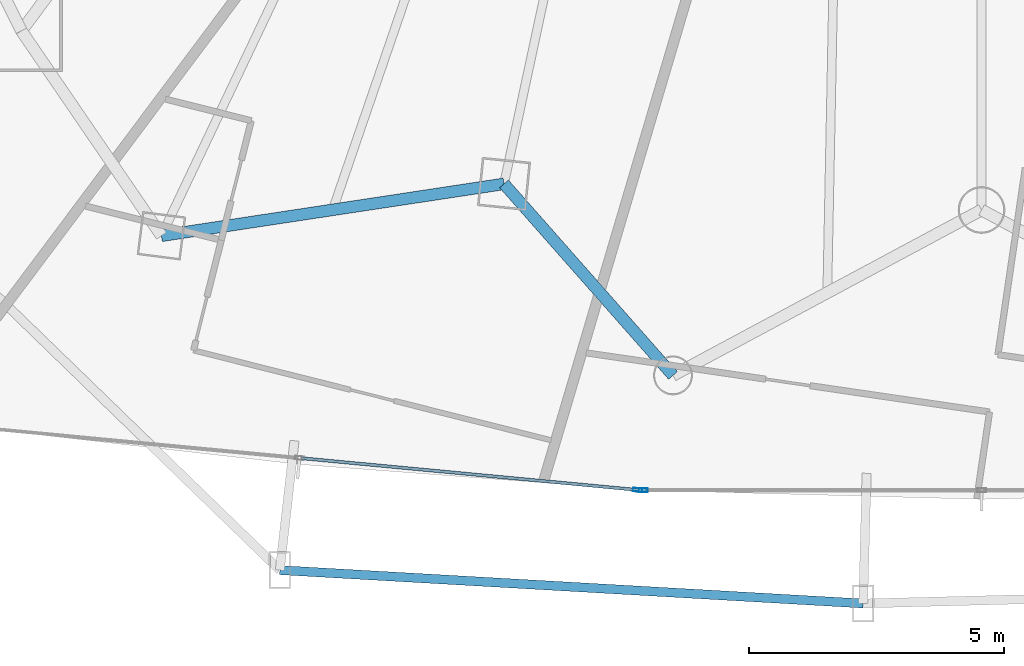
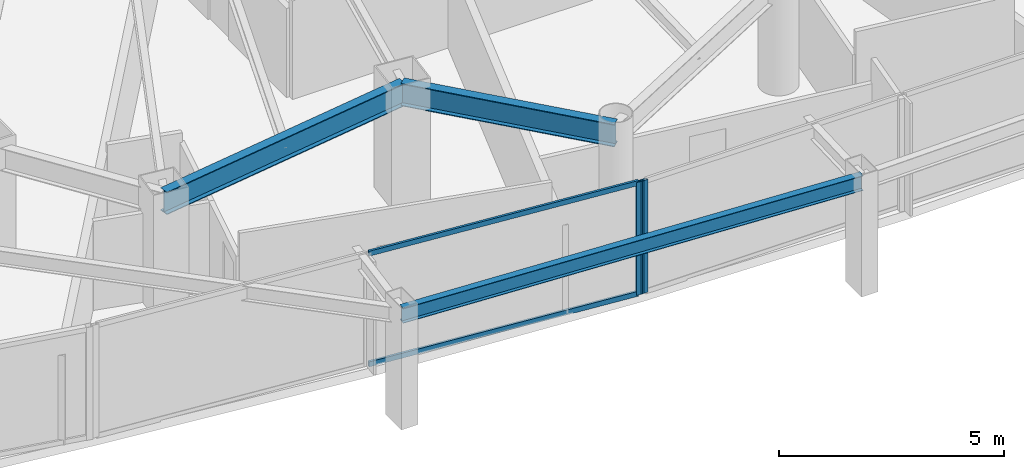
# One storey, part 6 of 35: 4 members, 3 beams, 2 elements without a shape of their own.
"""IFC4 building model written with IfcOpenShell, lengths in metres."""

import ifcopenshell
import ifcopenshell.guid

model = None  # the IFC model being written
_history = None  # IfcOwnerHistory: only IFC2X3 demands one
_inside = {}  # id of a spatial element -> (the spatial element, [elements in it])
_under = {}  # id of a project, library or spatial element -> (it, [spatial elements below it])
_declared = {}  # id of a project -> (the project, [libraries it declares])
_typed = {}  # id of a type object -> (the type object, [elements of that type])
_made_of = {}  # id of a material, layer set ... -> (it, [elements and type objects made of it])


def new_model(schema):
    """Start an empty IFC model of exactly this schema.

    Asked for "IFC4X3", IfcOpenShell would pick the latest addendum, in which some entities
    have other attributes; the version numbers below select the first issue.
    IFC2X3 requires an IfcOwnerHistory on every rooted entity: one is made here for all.
    """
    global model, _history
    if schema == "IFC4X3":
        model = ifcopenshell.file(schema_version=(4, 3, 0, 0))
    else:
        model = ifcopenshell.file(schema=schema)
    _inside.clear()
    _under.clear()
    _declared.clear()
    _typed.clear()
    _made_of.clear()
    _history = None
    if model.schema == "IFC2X3":
        org = make("IfcOrganization", Name="unknown")
        user = make(
            "IfcPersonAndOrganization",
            ThePerson=make("IfcPerson", FamilyName="unknown"),
            TheOrganization=org,
        )
        app = make(
            "IfcApplication",
            ApplicationDeveloper=org,
            Version="unknown",
            ApplicationFullName="unknown",
            ApplicationIdentifier="unknown",
        )
        _history = make(
            "IfcOwnerHistory",
            OwningUser=user,
            OwningApplication=app,
            ChangeAction="ADDED",
            CreationDate=0,
        )
    return model


def make(cls, **values):
    """One entity of the class cls with the attributes given. An attribute that is None is left unset."""
    return model.create_entity(
        cls, **{name: value for name, value in values.items() if value is not None}
    )


def rooted(cls, **values):
    """An entity with a GlobalId (a new one), such as an element, a storey or a relation."""
    return make(cls, GlobalId=ifcopenshell.guid.new(), OwnerHistory=_history, **values)


def si_unit(unit_type, name, prefix=None):
    """IfcSIUnit, for example si_unit("LENGTHUNIT", "METRE", prefix="MILLI")."""
    return make("IfcSIUnit", UnitType=unit_type, Prefix=prefix, Name=name)


def assignment(units):
    """IfcUnitAssignment: the units of a project."""
    return None if units is None else make("IfcUnitAssignment", Units=units)


def point(xyz):
    """IfcCartesianPoint."""
    return None if xyz is None else make("IfcCartesianPoint", Coordinates=xyz)


def direction(xyz):
    """IfcDirection."""
    return None if xyz is None else make("IfcDirection", DirectionRatios=xyz)


def frame(location, z_axis=None, x_axis=None):
    """IfcAxis2Placement3D, a coordinate frame: its origin and axes. An axis left out is left unset."""
    return make(
        "IfcAxis2Placement3D",
        Location=point(location),
        Axis=direction(z_axis),
        RefDirection=direction(x_axis),
    )


def frame_2d(location, x_axis=None):
    """IfcAxis2Placement2D, a coordinate frame in the plane: its origin and x axis."""
    return make(
        "IfcAxis2Placement2D", Location=point(location), RefDirection=direction(x_axis)
    )


def origin():
    """The frame at (0, 0, 0) with its axes left unset."""
    return frame((0.0, 0.0, 0.0))


def origin_2d():
    """The frame at (0, 0) in the plane with its x axis left unset."""
    return frame_2d((0.0, 0.0))


def place(relative_to, where):
    """IfcLocalPlacement: puts the frame where relative to a parent placement (None: the world)."""
    return make(
        "IfcLocalPlacement", PlacementRelTo=relative_to, RelativePlacement=where
    )


def context(
    kind, dimensions, precision=None, world=None, true_north=None, identifier=None
):
    """IfcGeometricRepresentationContext, for example the 3D "Model" context."""
    return make(
        "IfcGeometricRepresentationContext",
        ContextIdentifier=identifier,
        ContextType=kind,
        CoordinateSpaceDimension=dimensions,
        Precision=precision,
        WorldCoordinateSystem=world,
        TrueNorth=true_north,
    )


def subcontext(parent, identifier, kind, view, scale=None):
    """IfcGeometricRepresentationSubContext, for example "Body" below "Model"."""
    return make(
        "IfcGeometricRepresentationSubContext",
        ContextIdentifier=identifier,
        ContextType=kind,
        ParentContext=parent,
        TargetScale=scale,
        TargetView=view,
    )


def project(units=None, contexts=None):
    """IfcProject with its units and contexts."""
    return rooted(
        "IfcProject",
        Name="project",
        RepresentationContexts=contexts,
        UnitsInContext=assignment(units),
    )


def spatial(cls, under=None, at=None, **own):
    """A site, building, storey or space (cls), placed at a placement, below another one or the project."""
    s = rooted(cls, ObjectPlacement=at, **own)
    if under is not None:
        _under.setdefault(under.id(), (under, []))[1].append(s)
    return s


def profile(cls, at=None, kind="AREA", **sizes):
    """A parametric profile (cls). Its sizes go by their IFC names, for example OverallWidth=200.0."""
    return make(cls, ProfileType=kind, Position=at, **sizes)


def hollow_rectangle(**sizes):
    """IfcRectangleHollowProfileDef."""
    return profile("IfcRectangleHollowProfileDef", **sizes)


def i_section(**sizes):
    """IfcIShapeProfileDef."""
    return profile("IfcIShapeProfileDef", **sizes)


def extrude(swept, where, along, depth):
    """IfcExtrudedAreaSolid: the profile swept, set in the frame where, extruded along a direction by depth."""
    return make(
        "IfcExtrudedAreaSolid",
        SweptArea=swept,
        Position=where,
        ExtrudedDirection=direction(along),
        Depth=depth,
    )


def shape(context_of_items, identifier, shape_type, items):
    """IfcShapeRepresentation: the items that make up one representation, for example the "Body"."""
    return make(
        "IfcShapeRepresentation",
        ContextOfItems=context_of_items,
        RepresentationIdentifier=identifier,
        RepresentationType=shape_type,
        Items=items,
    )


def material(Name=None, Category=None):
    """IfcMaterial."""
    return make("IfcMaterial", Name=Name, Category=Category)


def layer(
    of_material, thickness, ventilated=None, Name=None, Category=None, Priority=None
):
    """IfcMaterialLayer: one layer of a wall or slab, of a material (None: an air gap)."""
    return make(
        "IfcMaterialLayer",
        Material=of_material,
        LayerThickness=thickness,
        IsVentilated=ventilated,
        Name=Name,
        Category=Category,
        Priority=Priority,
    )


def layer_set(layers, Name=None):
    """IfcMaterialLayerSet."""
    return make("IfcMaterialLayerSet", MaterialLayers=layers, LayerSetName=Name)


def material_profile(
    of_material, cross_section, Name=None, Category=None, Priority=None
):
    """IfcMaterialProfile: a cross section and its material."""
    return make(
        "IfcMaterialProfile",
        Name=Name,
        Material=of_material,
        Profile=cross_section,
        Priority=Priority,
        Category=Category,
    )


def profile_set(profiles, Name=None, composite=None):
    """IfcMaterialProfileSet."""
    return make(
        "IfcMaterialProfileSet",
        Name=Name,
        MaterialProfiles=profiles,
        CompositeProfile=composite,
    )


def made_of(thing, what):
    """Note that an element or type object is made of a material, layer set ...; save() writes the relation."""
    if what is not None:
        _made_of.setdefault(what.id(), (what, []))[1].append(thing)
    return thing


def type_object(cls, material=None, **own):
    """A type object (cls), such as IfcWallType, which elements share."""
    return made_of(rooted(cls, **own), material)


def element(
    cls,
    number,
    at=None,
    inside=None,
    cuts=None,
    type_object=None,
    material=None,
    context=None,
    identifier="Body",
    shape_type=None,
    held_by="IfcProductDefinitionShape",
    body=None,
    shapes=None,
    **own,
):
    """One element of the class cls, such as IfcWall. Its Tag is "e" and its number.

    at: its placement. inside: the storey or other place that contains it. cuts: it is an
    opening in that element (IfcRelVoidsElement). A single representation is given by context,
    identifier, shape_type and body (its items); several are given by shapes. held_by: the class
    of the entity that holds the representations. save() writes the other relations.
    """
    e = rooted(cls, Tag="e%d" % number, ObjectPlacement=at, **own)
    if body is not None:
        shapes = [shape(context, identifier, shape_type, body)]
    if shapes is not None:
        e.Representation = make(held_by, Representations=shapes)
    if inside is not None:
        _inside.setdefault(inside.id(), (inside, []))[1].append(e)
    if cuts is not None:
        rooted(
            "IfcRelVoidsElement", RelatingBuildingElement=cuts, RelatedOpeningElement=e
        )
    if type_object is not None:
        _typed.setdefault(type_object.id(), (type_object, []))[1].append(e)
    return made_of(e, material)


def aggregate(whole, parts):
    """IfcRelAggregates: a whole, such as a stair, and the parts it consists of."""
    return rooted("IfcRelAggregates", RelatingObject=whole, RelatedObjects=parts)


def save(model, path):
    """Write the relations noted so far, then the file.

    IfcRelAggregates (storeys below a building ...), IfcRelContainedInSpatialStructure (elements
    in a storey), IfcRelDefinesByType, IfcRelAssociatesMaterial and IfcRelDeclares: one each for
    every whole, place, type object, material and project.
    """
    for whole, parts in _under.values():
        aggregate(whole, parts)
    for where, things in _inside.values():
        rooted(
            "IfcRelContainedInSpatialStructure",
            RelatedElements=things,
            RelatingStructure=where,
        )
    for kind, things in _typed.values():
        rooted("IfcRelDefinesByType", RelatedObjects=things, RelatingType=kind)
    for what, things in _made_of.values():
        rooted("IfcRelAssociatesMaterial", RelatedObjects=things, RelatingMaterial=what)
    for by, libraries in _declared.values():
        rooted("IfcRelDeclares", RelatingContext=by, RelatedDefinitions=libraries)
    model.write(path)


model = new_model("IFC4")

# Units and contexts
model_context = context("Model", 3, precision=1e-05, world=origin(), true_north=direction((0.0, 1.0)))
body_context = subcontext(model_context, "Body", "Model", "MODEL_VIEW")
ifc_project = project(units=[si_unit("LENGTHUNIT", "METRE"), si_unit("AREAUNIT", "SQUARE_METRE"), si_unit("VOLUMEUNIT", "CUBIC_METRE"), si_unit("PLANEANGLEUNIT", "RADIAN"), si_unit("MASSUNIT", "GRAM", prefix="KILO")], contexts=[model_context])

# Site, building, storey
site_placement = place(None, origin())
site = spatial("IfcSite", under=ifc_project, at=site_placement, CompositionType="ELEMENT")
building_placement = place(site_placement, origin())
building = spatial("IfcBuilding", under=site, at=building_placement, Name="Orvanel Arch Residences", CompositionType="ELEMENT")
storey_placement = place(building_placement, frame((0.0, 0.0, 36.800048828125)))
storey = spatial("IfcBuildingStorey", under=building, at=storey_placement, Name="L09", CompositionType="ELEMENT", Elevation=36.800048828125)

# Curtain wall, member
ifc_material_1 = material(Name="Bronze-anodised aluminium AA6063-T6", Category="aluminium")
ifc_layer = layer(ifc_material_1, 0.179931640625)
ifc_layer_set = layer_set([ifc_layer], Name="Bronze-anodised aluminium AA6063-T6")
curtain_wall_type = type_object("IfcCurtainWallType", Name="CW2-LOW-SYS", PredefinedType="NOTDEFINED", material=ifc_layer_set)
curtain_wall_1_placement = place(storey_placement, origin())
curtain_wall_1 = element("IfcCurtainWall", 1, at=curtain_wall_1_placement, inside=storey, type_object=curtain_wall_type, Name="L09 CW2-LOW-SYS Unitised Curtain Wall", PredefinedType="NOTDEFINED")
ifc_material_profile_1 = material_profile(ifc_material_1, hollow_rectangle(XDim=0.070068359375, YDim=0.179931640625, WallThickness=0.00439453125, at=origin_2d()), Name="ALU180x70x4.5")
ifc_profile_set_1 = profile_set([ifc_material_profile_1], Name="Bronze-anodised aluminium AA6063-T6")
member_type_1 = type_object("IfcMemberType", Name="MUL-180x70", PredefinedType="MULLION", material=ifc_profile_set_1)
member_1_placement = place(storey_placement, frame((26.26708984375, 1.361328125, 0.0), z_axis=(0.0, 0.0, 1.0), x_axis=(0.094061026895, 0.995566433353, 0.0)))
member_1 = element("IfcMember", 2, at=member_1_placement, type_object=member_type_1, Name="CW-S2 mullion 3", PredefinedType="MULLION", context=body_context, shape_type="SweptSolid", body=[
    extrude(hollow_rectangle(XDim=0.070068359375, YDim=0.179931640625, WallThickness=0.00439453125, at=origin_2d()), origin(), (0.0, 0.0, 1.0), 3.06005859375),
])

curtain_wall_2_placement = place(storey_placement, origin())
curtain_wall_2 = element("IfcCurtainWall", 3, at=curtain_wall_2_placement, inside=storey, type_object=curtain_wall_type, Name="L09 CW2-LOW-SYS Unitised Curtain Wall", PredefinedType="NOTDEFINED")
member_2_placement = place(storey_placement, frame((26.376953125, 1.35595703125, 0.0), z_axis=(0.0, 0.0, 1.0), x_axis=(0.0, 1.0, 0.0)))
member_2 = element("IfcMember", 4, at=member_2_placement, type_object=member_type_1, Name="CW-S2 mullion 1", PredefinedType="MULLION", context=body_context, shape_type="SweptSolid", body=[
    extrude(hollow_rectangle(XDim=0.070068359375, YDim=0.179931640625, WallThickness=0.00439453125, at=origin_2d()), origin(), (0.0, 0.0, 1.0), 3.06005859375),
])
aggregate(curtain_wall_2, [member_2])

# Beams
ifc_material_2 = material(Name="Structural steel AS/NZS 3679.1 Grade 300 (300 MPa)", Category="steel")
ifc_material_profile_2 = material_profile(ifc_material_2, i_section(OverallWidth=0.177978515625, OverallDepth=0.406005859375, WebThickness=0.0078125, FlangeThickness=0.0126953125, at=origin_2d()), Name="410UB59.7")
ifc_profile_set_2 = profile_set([ifc_material_profile_2], Name="Structural steel AS/NZS 3679.1 Grade 300 (300 MPa)")
beam_type_1 = type_object("IfcBeamType", Name="OB-410UB-EXT", PredefinedType="SPANDREL", material=ifc_profile_set_2)
beam_1_placement = place(storey_placement, frame((19.259033203125, -0.2080078125, 2.85693359375), z_axis=(0.998369632483, -0.057079566703, 0.0), x_axis=(0.057079566703, 0.998369632483, 0.0)))
element("IfcBeam", 5, at=beam_1_placement, inside=storey, type_object=beam_type_1, Name="L09 Outer Perimeter Floor Ring Beam 05", PredefinedType="SPANDREL", context=body_context, shape_type="SweptSolid", body=[
    extrude(i_section(OverallWidth=0.177978515625, OverallDepth=0.406005859375, WebThickness=0.0078125, FlangeThickness=0.0126953125, at=origin_2d()), origin(), (0.0, 0.0, 1.0), 11.44140625),
])
ifc_material_profile_3 = material_profile(ifc_material_2, i_section(OverallWidth=0.22900390625, OverallDepth=0.612060546875, WebThickness=0.011962890625, FlangeThickness=0.01953125, at=origin_2d()), Name="610UB125")
ifc_profile_set_3 = profile_set([ifc_material_profile_3], Name="Structural steel AS/NZS 3679.1 Grade 300 (300 MPa)")
beam_type_2 = type_object("IfcBeamType", Name="SP-610UB", PredefinedType="SPANDREL", material=ifc_profile_set_3)
beam_2_placement = place(storey_placement, frame((16.94091796875, 6.339111328125, 2.75390625), z_axis=(0.988726323014, 0.149733958002, 0.0), x_axis=(-0.149733958002, 0.988726323014, 0.0)))
element("IfcBeam", 6, at=beam_2_placement, inside=storey, type_object=beam_type_2, Name="L09 Perimeter Spandrel Beam 04", PredefinedType="SPANDREL", context=body_context, shape_type="SweptSolid", body=[
    extrude(i_section(OverallWidth=0.22900390625, OverallDepth=0.612060546875, WebThickness=0.011962890625, FlangeThickness=0.01953125, at=origin_2d()), origin(), (0.0, 0.0, 1.0), 6.784423828125),
])
beam_3_placement = place(storey_placement, frame((23.64892578125, 7.35498046875, 2.75390625), z_axis=(0.661650698195, -0.749812212209, 0.0), x_axis=(0.749812212209, 0.661650698195, 0.0)))
element("IfcBeam", 7, at=beam_3_placement, inside=storey, type_object=beam_type_2, Name="L09 Perimeter Spandrel Beam 05", PredefinedType="SPANDREL", context=body_context, shape_type="SweptSolid", body=[
    extrude(i_section(OverallWidth=0.22900390625, OverallDepth=0.612060546875, WebThickness=0.011962890625, FlangeThickness=0.01953125, at=origin_2d()), origin(), (0.0, 0.0, 1.0), 5.001220703125),
])

# Member
ifc_material_profile_4 = material_profile(ifc_material_1, hollow_rectangle(XDim=0.06005859375, YDim=0.135009765625, WallThickness=0.00390625, at=origin_2d()), Name="ALU135x60x4")
ifc_profile_set_4 = profile_set([ifc_material_profile_4], Name="Bronze-anodised aluminium AA6063-T6")
member_type_2 = type_object("IfcMemberType", Name="TRN-135x60", PredefinedType="USERDEFINED", material=ifc_profile_set_4)
member_3_placement = place(storey_placement, frame((19.679443359375, 1.983642578125, 0.030029296875), z_axis=(0.995566208487, -0.094063406904, 0.0), x_axis=(0.094063406904, 0.995566208487, 0.0)))
member_3 = element("IfcMember", 8, at=member_3_placement, type_object=member_type_2, Name="CW-S2 transom 2.1", ObjectType="TRANSOM", PredefinedType="USERDEFINED", context=body_context, shape_type="SweptSolid", body=[
    extrude(hollow_rectangle(XDim=0.06005859375, YDim=0.135009765625, WallThickness=0.00390625, at=origin_2d()), origin(), (0.0, 0.0, 1.0), 6.582275390625),
])

member_4_placement = place(storey_placement, frame((19.679443359375, 1.983642578125, 3.030029296875), z_axis=(0.995566208487, -0.094063406904, 0.0), x_axis=(0.094063406904, 0.995566208487, 0.0)))
member_4 = element("IfcMember", 9, at=member_4_placement, type_object=member_type_2, Name="CW-S2 transom 2.2", ObjectType="TRANSOM", PredefinedType="USERDEFINED", context=body_context, shape_type="SweptSolid", body=[
    extrude(hollow_rectangle(XDim=0.06005859375, YDim=0.135009765625, WallThickness=0.00390625, at=origin_2d()), origin(), (0.0, 0.0, 1.0), 6.582275390625),
])

aggregate(curtain_wall_1, [member_1, member_3, member_4])

save(model, "model.ifc")
